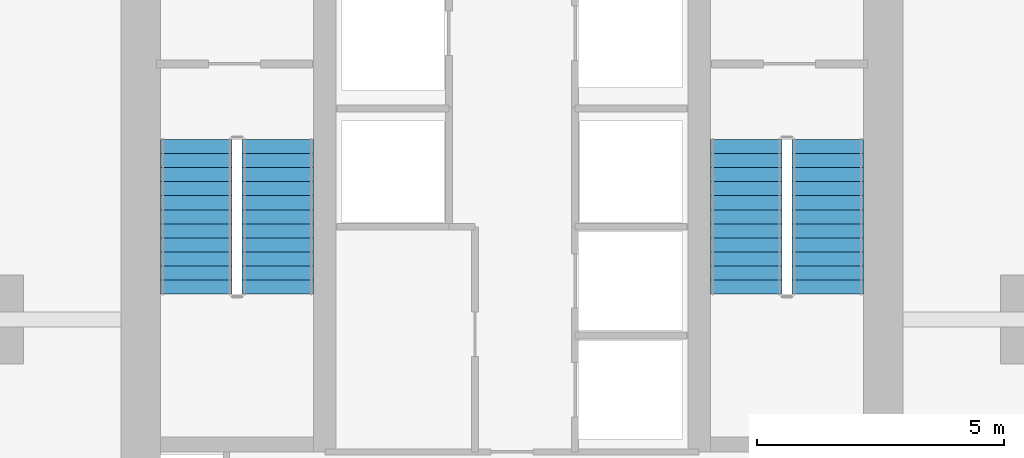
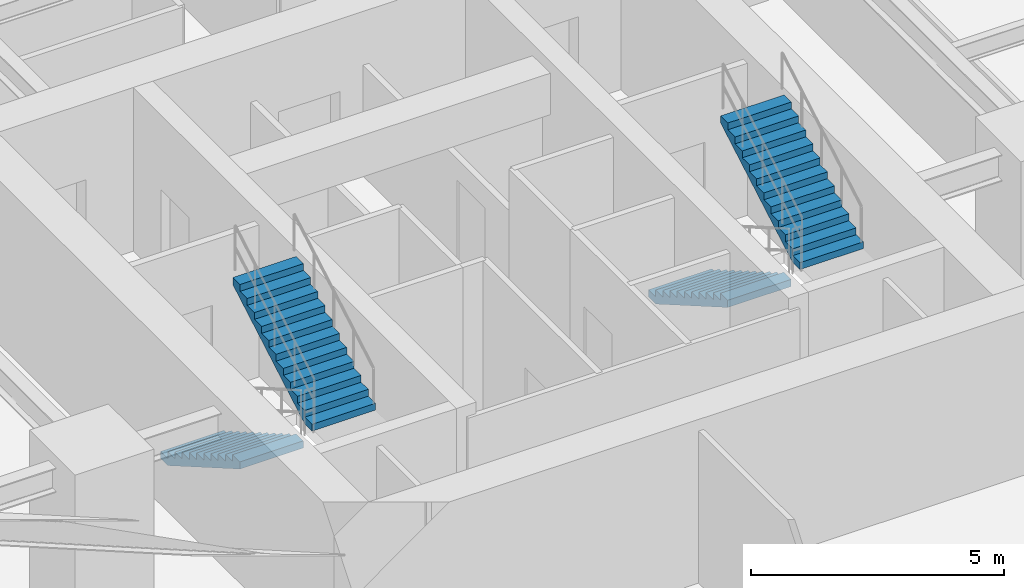
# One storey, part 23 of 25: 4 stair flights, 2 elements without a shape of their own.
"""IFC4 building model written with IfcOpenShell, lengths in metres."""

from ifc_helpers import new_model, si_unit, direction, frame, origin, place, context, subcontext, project, spatial, polyline, outline, extrude, material, type_object, element, aggregate, save


model = new_model("IFC4")

# Units and contexts
model_context = context("Model", 3, precision=1e-05, world=origin(), true_north=direction((0.0, 1.0)))
body_context = subcontext(model_context, "Body", "Model", "MODEL_VIEW")
ifc_project = project(units=[si_unit("LENGTHUNIT", "METRE"), si_unit("AREAUNIT", "SQUARE_METRE"), si_unit("VOLUMEUNIT", "CUBIC_METRE"), si_unit("PLANEANGLEUNIT", "RADIAN"), si_unit("MASSUNIT", "GRAM", prefix="KILO")], contexts=[model_context])

# Site, building, storey
site_placement = place(None, origin())
site = spatial("IfcSite", under=ifc_project, at=site_placement, CompositionType="ELEMENT")
building_placement = place(site_placement, origin())
building = spatial("IfcBuilding", under=site, at=building_placement, Name="Krantzveldt Concourse Tower", CompositionType="ELEMENT")
storey_placement = place(building_placement, frame((0.0, 0.0, 177.800048828125)))
storey = spatial("IfcBuildingStorey", under=building, at=storey_placement, Name="L43", CompositionType="ELEMENT", Elevation=177.800048828125)

# Stair, stair flights
ifc_material = material(Name="Precast concrete C40/50", Category="concrete")
stair_type = type_object("IfcStairType", Name="STR-CORE-DOGLEG", PredefinedType="HALF_TURN_STAIR", material=ifc_material)
stair_1_placement = place(storey_placement, origin())
stair_1 = element("IfcStair", 1, at=stair_1_placement, inside=storey, type_object=stair_type, Name="L43 Protected Escape Stair ST-1", PredefinedType="HALF_TURN_STAIR")
stair_flight_type = type_object("IfcStairFlightType", Name="STF-CORE-1450", PredefinedType="STRAIGHT", material=ifc_material)
stair_flight_1_placement = place(storey_placement, frame((29.60498046875, 19.550048828125, 0.0), z_axis=(0.0, 0.0, 1.0), x_axis=(0.0, -1.0, 0.0)))
stair_flight_1 = element("IfcStairFlight", 2, at=stair_flight_1_placement, type_object=stair_flight_type, Name="ST-1 flight 1", NumberOfRisers=12, NumberOfTreads=11, PredefinedType="STRAIGHT", RiserHeight=0.164583333, TreadLength=0.285, context=body_context, shape_type="SweptSolid", body=[
    extrude(outline(polyline([(0.0, 0.0), (0.0, 0.16455078125), (0.284912109375, 0.16455078125), (0.284912109375, 0.3291015625), (0.570068359375, 0.3291015625), (0.570068359375, 0.49365234375), (0.85498046875, 0.49365234375), (0.85498046875, 0.658447265625), (1.139892578125, 0.658447265625), (1.139892578125, 0.822998046875), (1.425048828125, 0.822998046875), (1.425048828125, 0.987548828125), (1.7099609375, 0.987548828125), (1.7099609375, 1.152099609375), (1.9951171875, 1.152099609375), (1.9951171875, 1.316650390625), (2.280029296875, 1.316650390625), (2.280029296875, 1.481201171875), (2.56494140625, 1.481201171875), (2.56494140625, 1.645751953125), (2.85009765625, 1.645751953125), (2.85009765625, 1.810302734375), (3.135009765625, 1.810302734375), (3.135009765625, 1.97509765625), (3.135009765625, 1.63720703125), (0.2998046875, 0.0), (0.0, 0.0)])), frame((0.0, 0.72509765625, 0.0), z_axis=(0.0, -1.0, 0.0), x_axis=(1.0, 0.0, 0.0)), (0.0, 0.0, 1.0), 1.449951171875),
])
stair_flight_2_placement = place(storey_placement, frame((31.2548828125, 16.4150390625, 1.974853515625), z_axis=(0.0, 0.0, 1.0), x_axis=(0.0, 1.0, 0.0)))
stair_flight_2 = element("IfcStairFlight", 3, at=stair_flight_2_placement, type_object=stair_flight_type, Name="ST-1 flight 2", NumberOfRisers=12, NumberOfTreads=11, PredefinedType="STRAIGHT", RiserHeight=0.164583333, TreadLength=0.285, context=body_context, shape_type="SweptSolid", body=[
    extrude(outline(polyline([(0.0, 0.0), (0.0, 0.16455078125), (0.284912109375, 0.16455078125), (0.284912109375, 0.3291015625), (0.570068359375, 0.3291015625), (0.570068359375, 0.49365234375), (0.85498046875, 0.49365234375), (0.85498046875, 0.658447265625), (1.139892578125, 0.658447265625), (1.139892578125, 0.822998046875), (1.425048828125, 0.822998046875), (1.425048828125, 0.987548828125), (1.7099609375, 0.987548828125), (1.7099609375, 1.152099609375), (1.9951171875, 1.152099609375), (1.9951171875, 1.316650390625), (2.280029296875, 1.316650390625), (2.280029296875, 1.481201171875), (2.56494140625, 1.481201171875), (2.56494140625, 1.645751953125), (2.85009765625, 1.645751953125), (2.85009765625, 1.810302734375), (3.135009765625, 1.810302734375), (3.135009765625, 1.97509765625), (3.135009765625, 1.63720703125), (0.2998046875, 0.0), (0.0, 0.0)])), frame((0.0, 0.72509765625, 0.0), z_axis=(0.0, -1.0, 0.0), x_axis=(1.0, 0.0, 0.0)), (0.0, 0.0, 1.0), 1.449951171875),
])
aggregate(stair_1, [stair_flight_1, stair_flight_2])

stair_2_placement = place(storey_placement, origin())
stair_2 = element("IfcStair", 4, at=stair_2_placement, inside=storey, type_object=stair_type, Name="L43 Protected Escape Stair ST-2", PredefinedType="HALF_TURN_STAIR")
stair_flight_3_placement = place(storey_placement, frame((40.7451171875, 19.550048828125, 0.0), z_axis=(0.0, 0.0, 1.0), x_axis=(0.0, -1.0, 0.0)))
stair_flight_3 = element("IfcStairFlight", 5, at=stair_flight_3_placement, type_object=stair_flight_type, Name="ST-2 flight 1", NumberOfRisers=12, NumberOfTreads=11, PredefinedType="STRAIGHT", RiserHeight=0.164583333, TreadLength=0.285, context=body_context, shape_type="SweptSolid", body=[
    extrude(outline(polyline([(0.0, 0.0), (0.0, 0.16455078125), (0.284912109375, 0.16455078125), (0.284912109375, 0.3291015625), (0.570068359375, 0.3291015625), (0.570068359375, 0.49365234375), (0.85498046875, 0.49365234375), (0.85498046875, 0.658447265625), (1.139892578125, 0.658447265625), (1.139892578125, 0.822998046875), (1.425048828125, 0.822998046875), (1.425048828125, 0.987548828125), (1.7099609375, 0.987548828125), (1.7099609375, 1.152099609375), (1.9951171875, 1.152099609375), (1.9951171875, 1.316650390625), (2.280029296875, 1.316650390625), (2.280029296875, 1.481201171875), (2.56494140625, 1.481201171875), (2.56494140625, 1.645751953125), (2.85009765625, 1.645751953125), (2.85009765625, 1.810302734375), (3.135009765625, 1.810302734375), (3.135009765625, 1.97509765625), (3.135009765625, 1.63720703125), (0.2998046875, 0.0), (0.0, 0.0)])), frame((0.0, 0.72509765625, 0.0), z_axis=(0.0, -1.0, 0.0), x_axis=(1.0, 0.0, 0.0)), (0.0, 0.0, 1.0), 1.449951171875),
])
stair_flight_4_placement = place(storey_placement, frame((42.39501953125, 16.4150390625, 1.974853515625), z_axis=(0.0, 0.0, 1.0), x_axis=(0.0, 1.0, 0.0)))
stair_flight_4 = element("IfcStairFlight", 6, at=stair_flight_4_placement, type_object=stair_flight_type, Name="ST-2 flight 2", NumberOfRisers=12, NumberOfTreads=11, PredefinedType="STRAIGHT", RiserHeight=0.164583333, TreadLength=0.285, context=body_context, shape_type="SweptSolid", body=[
    extrude(outline(polyline([(0.0, 0.0), (0.0, 0.16455078125), (0.284912109375, 0.16455078125), (0.284912109375, 0.3291015625), (0.570068359375, 0.3291015625), (0.570068359375, 0.49365234375), (0.85498046875, 0.49365234375), (0.85498046875, 0.658447265625), (1.139892578125, 0.658447265625), (1.139892578125, 0.822998046875), (1.425048828125, 0.822998046875), (1.425048828125, 0.987548828125), (1.7099609375, 0.987548828125), (1.7099609375, 1.152099609375), (1.9951171875, 1.152099609375), (1.9951171875, 1.316650390625), (2.280029296875, 1.316650390625), (2.280029296875, 1.481201171875), (2.56494140625, 1.481201171875), (2.56494140625, 1.645751953125), (2.85009765625, 1.645751953125), (2.85009765625, 1.810302734375), (3.135009765625, 1.810302734375), (3.135009765625, 1.97509765625), (3.135009765625, 1.63720703125), (0.2998046875, 0.0), (0.0, 0.0)])), frame((0.0, 0.72509765625, 0.0), z_axis=(0.0, -1.0, 0.0), x_axis=(1.0, 0.0, 0.0)), (0.0, 0.0, 1.0), 1.449951171875),
])
aggregate(stair_2, [stair_flight_3, stair_flight_4])

save(model, "model.ifc")
